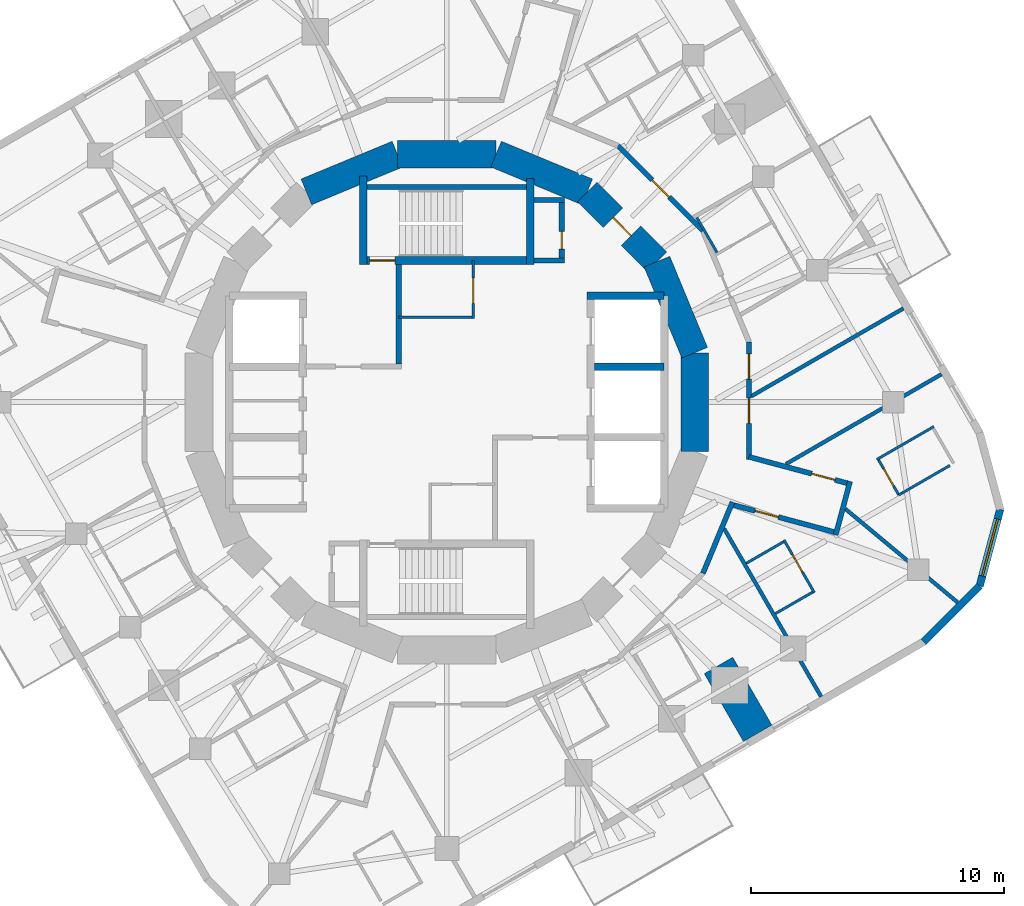
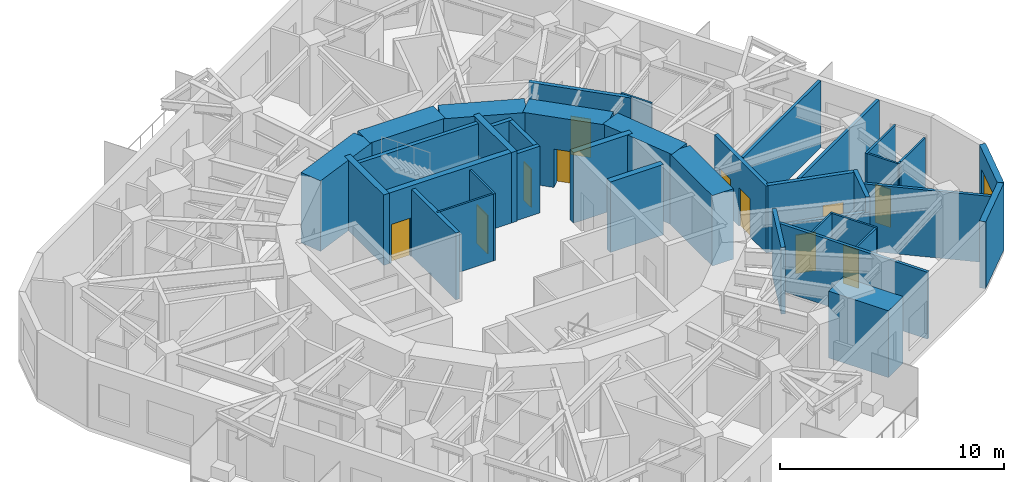
# One storey, part 7 of 11: 39 walls, 11 doors, 1 window, 12 openings.
"""IFC4 building model written with IfcOpenShell, lengths in metres."""

from ifc_helpers import new_model, si_unit, direction, frame, frame_2d, origin, place, context, subcontext, project, spatial, rectangle, extrude, material, layer, layer_set, type_object, element, fill, save


model = new_model("IFC4")

# Units and contexts
model_context = context("Model", 3, precision=1e-05, world=origin(), true_north=direction((0.0, 1.0)))
body_context = subcontext(model_context, "Body", "Model", "MODEL_VIEW")
ifc_project = project(units=[si_unit("LENGTHUNIT", "METRE"), si_unit("AREAUNIT", "SQUARE_METRE"), si_unit("VOLUMEUNIT", "CUBIC_METRE"), si_unit("PLANEANGLEUNIT", "RADIAN"), si_unit("MASSUNIT", "GRAM", prefix="KILO")], contexts=[model_context])

# Site, building, storey
site_placement = place(None, origin())
site = spatial("IfcSite", under=ifc_project, at=site_placement, CompositionType="ELEMENT")
building_placement = place(site_placement, origin())
building = spatial("IfcBuilding", under=site, at=building_placement, Name="Nakasero Lantern House", CompositionType="ELEMENT")
storey_placement = place(building_placement, frame((0.0, 0.0, 238.5)))
storey = spatial("IfcBuildingStorey", under=building, at=storey_placement, Name="L58", CompositionType="ELEMENT", Elevation=238.5)

# Walls
ifc_material_1 = material(Name="Blockwork", Category="masonry")
ifc_layer_1 = layer(ifc_material_1, 1.300048828125)
ifc_layer_set_1 = layer_set([ifc_layer_1], Name="Column pier 1300")
wall_type_1 = type_object("IfcWallType", Name="Column pier 1300", PredefinedType="PARTITIONING", material=ifc_layer_set_1)
wall_1_placement = place(storey_placement, frame((10.75048828125, -10.4208984375, 0.0), z_axis=(0.0, 0.0, 1.0), x_axis=(0.499933790963, -0.866063626216, 0.0)))
element("IfcWall", 1, at=wall_1_placement, inside=storey, type_object=wall_type_1, Name="Column pier L58 PN3-05", PredefinedType="PARTITIONING", context=body_context, shape_type="SweptSolid", body=[
    extrude(rectangle(XDim=3.10009765625, YDim=1.300048828125, at=frame_2d((1.550048828125, 0.0))), origin(), (0.0, 0.0, 1.0), 3.64990234375),
])
ifc_material_2 = material(Name="Concrete C50/60", Category="concrete")
ifc_layer_2 = layer(ifc_material_2, 0.300048828125)
ifc_layer_set_2 = layer_set([ifc_layer_2], Name="Core inner wall 300")
wall_type_2 = type_object("IfcWallType", Name="Core inner wall 300", PredefinedType="SHEAR", material=ifc_layer_set_2)
wall_2_placement = place(storey_placement, frame((5.550048828125, 4.199951171875, 0.0), z_axis=(0.0, 0.0, 1.0), x_axis=(1.0, 0.0, 0.0)))
element("IfcWall", 2, at=wall_2_placement, inside=storey, type_object=wall_type_2, Name="Core inner wall L58 LEN", PredefinedType="SHEAR", context=body_context, shape_type="SweptSolid", body=[
    extrude(rectangle(XDim=3.050048828125, YDim=0.300048828125, at=frame_2d((1.52490234375, 0.0))), origin(), (0.0, 0.0, 1.0), 3.85009765625),
])
wall_3_placement = place(storey_placement, frame((5.85009765625, 1.39990234375, 0.0), z_axis=(0.0, 0.0, 1.0), x_axis=(1.0, 0.0, 0.0)))
element("IfcWall", 3, at=wall_3_placement, inside=storey, type_object=wall_type_2, Name="Core inner wall L58 LE2", PredefinedType="SHEAR", context=body_context, shape_type="SweptSolid", body=[
    extrude(rectangle(XDim=2.75, YDim=0.300048828125, at=frame_2d((1.375, 0.0))), origin(), (0.0, 0.0, 1.0), 3.85009765625),
])

# Wall, opening, door
wall_4_placement = place(storey_placement, frame((-3.449951171875, 5.60009765625, 0.0), z_axis=(0.0, 0.0, 1.0), x_axis=(1.0, 0.0, 0.0)))
wall_4 = element("IfcWall", 4, at=wall_4_placement, inside=storey, type_object=wall_type_2, Name="Core inner wall L58 SN", PredefinedType="SHEAR", context=body_context, shape_type="SweptSolid", body=[
    extrude(rectangle(XDim=6.89990234375, YDim=0.300048828125, at=frame_2d((3.449951171875, 0.0))), origin(), (0.0, 0.0, 1.0), 3.85009765625),
])
opening_1_placement = place(wall_4_placement, frame((0.39990234375, 0.0, 0.0)))
opening_1 = element("IfcOpeningElement", 5, at=opening_1_placement, cuts=wall_4, Name="Opening D05", PredefinedType="OPENING", context=body_context, shape_type="SweptSolid", body=[
    extrude(rectangle(XDim=1.0, YDim=2.10009765625, at=frame_2d((0.5, 1.050048828125))), frame((0.0, 0.169921875, 0.0), z_axis=(0.0, -1.0, 0.0), x_axis=(1.0, 0.0, 0.0)), (0.0, 0.0, 1.0), 0.340087890625),
])
ifc_material_3 = material(Name="Timber C24", Category="wood")
door_type_1 = type_object("IfcDoorType", Name="Core door FD60S 1000", OperationType="SINGLE_SWING_LEFT", PredefinedType="DOOR", material=ifc_material_3)
door_1_placement = place(opening_1_placement, origin())
door_1 = element("IfcDoor", 6, at=door_1_placement, inside=storey, type_object=door_type_1, Name="Door L58 D-ST1", OperationType="SINGLE_SWING_LEFT", OverallHeight=2.10009765625, OverallWidth=1.0, PredefinedType="DOOR", context=body_context, shape_type="SweptSolid", body=[
    extrude(rectangle(XDim=1.0, YDim=2.10009765625, at=frame_2d((0.5, 1.050048828125))), frame((0.0, 0.02490234375, 0.0), z_axis=(0.0, -1.0, 0.0), x_axis=(1.0, 0.0, 0.0)), (0.0, 0.0, 1.0), 0.050048828125),
])
fill(opening_1, door_1)

# Walls
wall_5_placement = place(storey_placement, frame((-3.300048828125, 5.449951171875, 0.0), z_axis=(0.0, 0.0, 1.0), x_axis=(0.0, 1.0, 0.0)))
element("IfcWall", 7, at=wall_5_placement, inside=storey, type_object=wall_type_2, Name="Core inner wall L58 SNW", PredefinedType="SHEAR", context=body_context, shape_type="SweptSolid", body=[
    extrude(rectangle(XDim=3.5, YDim=0.300048828125, at=frame_2d((1.75, 0.0))), origin(), (0.0, 0.0, 1.0), 3.85009765625),
])
wall_6_placement = place(storey_placement, frame((3.300048828125, 5.449951171875, 0.0), z_axis=(0.0, 0.0, 1.0), x_axis=(0.0, 1.0, 0.0)))
element("IfcWall", 8, at=wall_6_placement, inside=storey, type_object=wall_type_2, Name="Core inner wall L58 SNE", PredefinedType="SHEAR", context=body_context, shape_type="SweptSolid", body=[
    extrude(rectangle(XDim=3.400146484375, YDim=0.300048828125, at=frame_2d((1.7001953125, 0.0))), origin(), (0.0, 0.0, 1.0), 3.85009765625),
])
ifc_material_4 = material(Name="Blockwork", Category="masonry")
ifc_layer_3 = layer(ifc_material_4, 0.10009765625)
ifc_layer_set_3 = layer_set([ifc_layer_3], Name="Core room wall 100")
wall_type_3 = type_object("IfcWallType", Name="Core room wall 100", PredefinedType="PARTITIONING", material=ifc_layer_set_3)
wall_7_placement = place(storey_placement, frame((-1.89990234375, 3.35009765625, 0.0), z_axis=(0.0, 0.0, 1.0), x_axis=(1.0, 0.0, 0.0)))
element("IfcWall", 9, at=wall_7_placement, inside=storey, type_object=wall_type_3, Name="Core room wall L58 CR-NES", PredefinedType="PARTITIONING", context=body_context, shape_type="SweptSolid", body=[
    extrude(rectangle(XDim=3.0, YDim=0.10009765625, at=frame_2d((1.5, 0.0))), origin(), (0.0, 0.0, 1.0), 3.64990234375),
])

# Wall, opening, door
wall_8_placement = place(storey_placement, frame((1.050048828125, 3.300048828125, 0.0), z_axis=(0.0, 0.0, 1.0), x_axis=(0.0, 1.0, 0.0)))
wall_8 = element("IfcWall", 10, at=wall_8_placement, inside=storey, type_object=wall_type_3, Name="Core room wall L58 CR-NEE", PredefinedType="PARTITIONING", context=body_context, shape_type="SweptSolid", body=[
    extrude(rectangle(XDim=2.300048828125, YDim=0.10009765625, at=frame_2d((1.14990234375, 0.0))), origin(), (0.0, 0.0, 1.0), 3.64990234375),
])
opening_2_placement = place(wall_8_placement, frame((0.60009765625, 0.0, 0.0)))
opening_2 = element("IfcOpeningElement", 11, at=opening_2_placement, cuts=wall_8, Name="Opening D13", PredefinedType="OPENING", context=body_context, shape_type="SweptSolid", body=[
    extrude(rectangle(XDim=1.0, YDim=2.10009765625, at=frame_2d((0.5, 1.050048828125))), frame((0.0, 0.070068359375, 0.0), z_axis=(0.0, -1.0, 0.0), x_axis=(1.0, 0.0, 0.0)), (0.0, 0.0, 1.0), 0.14013671875),
])
ifc_material_5 = material(Name="Steel S355", Category="steel")
door_type_2 = type_object("IfcDoorType", Name="Plant room door FD60 1000", OperationType="SINGLE_SWING_LEFT", PredefinedType="DOOR", material=ifc_material_5)
door_2_placement = place(opening_2_placement, origin())
door_2 = element("IfcDoor", 12, at=door_2_placement, inside=storey, type_object=door_type_2, Name="Door L58 D-CR-NE", OperationType="SINGLE_SWING_LEFT", OverallHeight=2.10009765625, OverallWidth=1.0, PredefinedType="DOOR", context=body_context, shape_type="SweptSolid", body=[
    extrude(rectangle(XDim=1.0, YDim=2.10009765625, at=frame_2d((0.5, 1.050048828125))), frame((0.0, 0.02490234375, 0.0), z_axis=(0.0, -1.0, 0.0), x_axis=(1.0, 0.0, 0.0)), (0.0, 0.0, 1.0), 0.050048828125),
])
fill(opening_2, door_2)

# Wall
ifc_material_6 = material(Name="Concrete C50/60", Category="concrete")
ifc_layer_4 = layer(ifc_material_6, 1.10009765625)
ifc_layer_set_4 = layer_set([ifc_layer_4], Name="Core wall 1100")
wall_type_4 = type_object("IfcWallType", Name="Core wall 1100", PredefinedType="SHEAR", material=ifc_layer_set_4)
wall_9_placement = place(storey_placement, frame((9.807861328125, 1.950927734375, 0.0), z_axis=(0.0, 0.0, 1.0), x_axis=(-0.382690736062, 0.923876507187, 0.0)))
element("IfcWall", 13, at=wall_9_placement, inside=storey, type_object=wall_type_4, Name="Core wall L58 facet 1", PredefinedType="SHEAR", context=body_context, shape_type="SweptSolid", body=[
    extrude(rectangle(XDim=3.90185546875, YDim=1.10009765625, at=frame_2d((1.950927734375, 0.0))), origin(), (0.0, 0.0, 1.0), 3.85009765625),
])

# Wall, opening, door
wall_10_placement = place(storey_placement, frame((8.314697265625, 5.5556640625, 0.0), z_axis=(0.0, 0.0, 1.0), x_axis=(-0.707106781187, 0.707106781187, 0.0)))
wall_10 = element("IfcWall", 14, at=wall_10_placement, inside=storey, type_object=wall_type_4, Name="Core wall L58 facet 2", PredefinedType="SHEAR", context=body_context, shape_type="SweptSolid", body=[
    extrude(rectangle(XDim=3.90185546875, YDim=1.10009765625, at=frame_2d((1.950927734375, 0.0))), origin(), (0.0, 0.0, 1.0), 3.85009765625),
])
opening_3_placement = place(wall_10_placement, frame((1.450927734375, 0.0, 0.0)))
opening_3 = element("IfcOpeningElement", 15, at=opening_3_placement, cuts=wall_10, Name="Opening D05", PredefinedType="OPENING", context=body_context, shape_type="SweptSolid", body=[
    extrude(rectangle(XDim=1.0, YDim=2.10009765625, at=frame_2d((0.5, 1.050048828125))), frame((0.0, 0.570068359375, 0.0), z_axis=(0.0, -1.0, 0.0), x_axis=(1.0, 0.0, 0.0)), (0.0, 0.0, 1.0), 1.14013671875),
])
door_3_placement = place(opening_3_placement, origin())
door_3 = element("IfcDoor", 16, at=door_3_placement, inside=storey, type_object=door_type_1, Name="Door L58 D-CORE02", OperationType="SINGLE_SWING_LEFT", OverallHeight=2.10009765625, OverallWidth=1.0, PredefinedType="DOOR", context=body_context, shape_type="SweptSolid", body=[
    extrude(rectangle(XDim=1.0, YDim=2.10009765625, at=frame_2d((0.5, 1.050048828125))), frame((0.0, 0.02490234375, 0.0), z_axis=(0.0, -1.0, 0.0), x_axis=(1.0, 0.0, 0.0)), (0.0, 0.0, 1.0), 0.050048828125),
])
fill(opening_3, door_3)

# Walls
for number, where, z_axis, x_axis, name in (
    (17, (5.5556640625, 8.314697265625, 0.0), (0.0, 0.0, 1.0), (-0.923876507187, 0.382690736062, 0.0), "Core wall L58 facet 3"),
    (18, (1.950927734375, 9.807861328125, 0.0), (0.0, 0.0, 1.0), (-1.0, 0.0, 0.0), "Core wall L58 facet 4"),
    (19, (-1.950927734375, 9.807861328125, 0.0), (0.0, 0.0, 1.0), (-0.923876507187, -0.382690736062, 0.0), "Core wall L58 facet 5"),
    (20, (9.807861328125, -1.950927734375, 0.0), (0.0, 0.0, 1.0), (0.0, 1.0, 0.0), "Core wall L58 facet 16"),
):
    element("IfcWall", number, at=place(storey_placement, frame(where, z_axis=z_axis, x_axis=x_axis)), inside=storey, type_object=wall_type_4, Name=name, PredefinedType="SHEAR", context=body_context, shape_type="SweptSolid", body=[
        extrude(rectangle(XDim=3.90185546875, YDim=1.10009765625, at=frame_2d((1.950927734375, 0.0))), origin(), (0.0, 0.0, 1.0), 3.85009765625),
    ])

# Wall, openings, doors
ifc_material_7 = material(Name="Blockwork", Category="masonry")
ifc_layer_5 = layer(ifc_material_7, 0.199951171875)
ifc_layer_set_5 = layer_set([ifc_layer_5], Name="Corridor wall 200")
wall_type_5 = type_object("IfcWallType", Name="Corridor wall 200", PredefinedType="PARTITIONING", material=ifc_layer_set_5)
wall_11_placement = place(storey_placement, frame((11.957763671875, 2.378662109375, 0.0), z_axis=(0.0, 0.0, 1.0), x_axis=(0.0, -1.0, 0.0)))
wall_11 = element("IfcWall", 21, at=wall_11_placement, inside=storey, type_object=wall_type_5, Name="Corridor wall L58 RC00a", PredefinedType="PARTITIONING", context=body_context, shape_type="SweptSolid", body=[
    extrude(rectangle(XDim=4.651123046875, YDim=0.199951171875, at=frame_2d((2.32568359375, 0.0))), origin(), (0.0, 0.0, 1.0), 3.64990234375),
])
opening_4_placement = place(wall_11_placement, frame((2.219970703125, 0.0, 0.0)))
opening_4 = element("IfcOpeningElement", 22, at=opening_4_placement, cuts=wall_11, Name="Opening D03", PredefinedType="OPENING", context=body_context, shape_type="SweptSolid", body=[
    extrude(rectangle(XDim=1.0, YDim=2.10009765625, at=frame_2d((0.5, 1.050048828125))), frame((0.0, 0.119873046875, 0.0), z_axis=(0.0, -1.0, 0.0), x_axis=(1.0, 0.0, 0.0)), (0.0, 0.0, 1.0), 0.239990234375),
])
opening_5_placement = place(wall_11_placement, frame((0.469970703125, 0.0, 0.0)))
opening_5 = element("IfcOpeningElement", 23, at=opening_5_placement, cuts=wall_11, Name="Opening D03", PredefinedType="OPENING", context=body_context, shape_type="SweptSolid", body=[
    extrude(rectangle(XDim=1.0, YDim=2.10009765625, at=frame_2d((0.5, 1.050048828125))), frame((0.0, 0.119873046875, 0.0), z_axis=(0.0, -1.0, 0.0), x_axis=(1.0, 0.0, 0.0)), (0.0, 0.0, 1.0), 0.239990234375),
])
ifc_material_8 = material(Name="Timber C24", Category="wood")
door_type_3 = type_object("IfcDoorType", Name="Lounge door FD30S 1000", OperationType="SINGLE_SWING_LEFT", PredefinedType="DOOR", material=ifc_material_8)
door_4_placement = place(opening_4_placement, origin())
door_4 = element("IfcDoor", 24, at=door_4_placement, inside=storey, type_object=door_type_3, Name="Door L58 DK0", OperationType="SINGLE_SWING_RIGHT", OverallHeight=2.10009765625, OverallWidth=1.0, PredefinedType="DOOR", context=body_context, shape_type="SweptSolid", body=[
    extrude(rectangle(XDim=1.0, YDim=2.10009765625, at=frame_2d((0.5, 1.050048828125))), frame((0.0, 0.02490234375, 0.0), z_axis=(0.0, -1.0, 0.0), x_axis=(1.0, 0.0, 0.0)), (0.0, 0.0, 1.0), 0.050048828125),
])
fill(opening_4, door_4)
door_5_placement = place(opening_5_placement, origin())
door_5 = element("IfcDoor", 25, at=door_5_placement, inside=storey, type_object=door_type_3, Name="Door L58 DK0-1", OperationType="SINGLE_SWING_LEFT", OverallHeight=2.10009765625, OverallWidth=1.0, PredefinedType="DOOR", context=body_context, shape_type="SweptSolid", body=[
    extrude(rectangle(XDim=1.0, YDim=2.10009765625, at=frame_2d((0.5, 1.050048828125))), frame((0.0, 0.02490234375, 0.0), z_axis=(0.0, -1.0, 0.0), x_axis=(1.0, 0.0, 0.0)), (0.0, 0.0, 1.0), 0.050048828125),
])
fill(opening_5, door_5)

# Wall
wall_12_placement = place(storey_placement, frame((11.302734375, -3.960205078125, 0.0), z_axis=(0.0, 0.0, 1.0), x_axis=(-0.382656259044, -0.923890787601, 0.0)))
element("IfcWall", 26, at=wall_12_placement, inside=storey, type_object=wall_type_5, Name="Corridor wall L58 RC01a", PredefinedType="PARTITIONING", context=body_context, shape_type="SweptSolid", body=[
    extrude(rectangle(XDim=3.045166015625, YDim=0.199951171875, at=frame_2d((1.5224609375, 0.0))), origin(), (0.0, 0.0, 1.0), 3.64990234375),
])

# Wall, opening, door
wall_13_placement = place(storey_placement, frame((6.773681640625, 10.137451171875, 0.0), z_axis=(0.0, 0.0, 1.0), x_axis=(0.707106781187, -0.707106781187, 0.0)))
wall_13 = element("IfcWall", 27, at=wall_13_placement, inside=storey, type_object=wall_type_5, Name="Corridor wall L58 RC14a", PredefinedType="PARTITIONING", context=body_context, shape_type="SweptSolid", body=[
    extrude(rectangle(XDim=4.757080078125, YDim=0.199951171875, at=frame_2d((2.37841796875, 0.0))), origin(), (0.0, 0.0, 1.0), 3.64990234375),
])
opening_6_placement = place(wall_13_placement, frame((1.919921875, 0.0, 0.0)))
opening_6 = element("IfcOpeningElement", 28, at=opening_6_placement, cuts=wall_13, Name="Opening D01", PredefinedType="OPENING", context=body_context, shape_type="SweptSolid", body=[
    extrude(rectangle(XDim=0.949951171875, YDim=2.10009765625, at=frame_2d((0.47509765625, 1.050048828125))), frame((0.0, 0.119873046875, 0.0), z_axis=(0.0, -1.0, 0.0), x_axis=(1.0, 0.0, 0.0)), (0.0, 0.0, 1.0), 0.239990234375),
])
ifc_material_9 = material(Name="Timber C24", Category="wood")
door_type_4 = type_object("IfcDoorType", Name="Bedroom door FD30S 950", OperationType="SINGLE_SWING_LEFT", PredefinedType="DOOR", material=ifc_material_9)
door_6_placement = place(opening_6_placement, origin())
door_6 = element("IfcDoor", 29, at=door_6_placement, inside=storey, type_object=door_type_4, Name="Door L58 D0-04", OperationType="SINGLE_SWING_RIGHT", OverallHeight=2.10009765625, OverallWidth=0.949951171875, PredefinedType="DOOR", context=body_context, shape_type="SweptSolid", body=[
    extrude(rectangle(XDim=0.949951171875, YDim=2.10009765625, at=frame_2d((0.47509765625, 1.050048828125))), frame((0.0, 0.02490234375, 0.0), z_axis=(0.0, -1.0, 0.0), x_axis=(1.0, 0.0, 0.0)), (0.0, 0.0, 1.0), 0.050048828125),
])
fill(opening_6, door_6)

wall_14_placement = place(storey_placement, frame((11.26416015625, -4.053466796875, 0.0), z_axis=(0.0, 0.0, 1.0), x_axis=(0.965919779438, -0.258841611204, 0.0)))
wall_14 = element("IfcWall", 30, at=wall_14_placement, inside=storey, type_object=wall_type_5, Name="Corridor wall L58 SP3a", PredefinedType="PARTITIONING", context=body_context, shape_type="SweptSolid", body=[
    extrude(rectangle(XDim=4.394287109375, YDim=0.199951171875, at=frame_2d((2.197265625, 0.0))), origin(), (0.0, 0.0, 1.0), 2.809326171875),
])
opening_7_placement = place(wall_14_placement, frame((0.969970703125, 0.0, 0.0)))
opening_7 = element("IfcOpeningElement", 31, at=opening_7_placement, cuts=wall_14, Name="Opening D01", PredefinedType="OPENING", context=body_context, shape_type="SweptSolid", body=[
    extrude(rectangle(XDim=0.949951171875, YDim=2.10009765625, at=frame_2d((0.47509765625, 1.050048828125))), frame((0.0, 0.119873046875, 0.0), z_axis=(0.0, -1.0, 0.0), x_axis=(1.0, 0.0, 0.0)), (0.0, 0.0, 1.0), 0.239990234375),
])
door_7_placement = place(opening_7_placement, origin())
door_7 = element("IfcDoor", 32, at=door_7_placement, inside=storey, type_object=door_type_4, Name="Door L58 D3-06", OperationType="SINGLE_SWING_LEFT", OverallHeight=2.10009765625, OverallWidth=0.949951171875, PredefinedType="DOOR", context=body_context, shape_type="SweptSolid", body=[
    extrude(rectangle(XDim=0.949951171875, YDim=2.10009765625, at=frame_2d((0.47509765625, 1.050048828125))), frame((0.0, 0.02490234375, 0.0), z_axis=(0.0, -1.0, 0.0), x_axis=(1.0, 0.0, 0.0)), (0.0, 0.0, 1.0), 0.050048828125),
])
fill(opening_7, door_7)

wall_15_placement = place(storey_placement, frame((11.957763671875, -2.168701171875, 0.0), z_axis=(0.0, 0.0, 1.0), x_axis=(0.965916744568, -0.258852936168, 0.0)))
wall_15 = element("IfcWall", 33, at=wall_15_placement, inside=storey, type_object=wall_type_5, Name="Corridor wall L58 SP3b", PredefinedType="PARTITIONING", context=body_context, shape_type="SweptSolid", body=[
    extrude(rectangle(XDim=4.212158203125, YDim=0.199951171875, at=frame_2d((2.10595703125, 0.0))), origin(), (0.0, 0.0, 1.0), 3.64990234375),
])
opening_8_placement = place(wall_15_placement, frame((2.570068359375, 0.0, 0.0)))
opening_8 = element("IfcOpeningElement", 34, at=opening_8_placement, cuts=wall_15, Name="Opening D01", PredefinedType="OPENING", context=body_context, shape_type="SweptSolid", body=[
    extrude(rectangle(XDim=0.949951171875, YDim=2.10009765625, at=frame_2d((0.47509765625, 1.050048828125))), frame((0.0, 0.119873046875, 0.0), z_axis=(0.0, -1.0, 0.0), x_axis=(1.0, 0.0, 0.0)), (0.0, 0.0, 1.0), 0.239990234375),
])
door_8_placement = place(opening_8_placement, origin())
door_8 = element("IfcDoor", 35, at=door_8_placement, inside=storey, type_object=door_type_4, Name="Door L58 D0-00", OperationType="SINGLE_SWING_RIGHT", OverallHeight=2.10009765625, OverallWidth=0.949951171875, PredefinedType="DOOR", context=body_context, shape_type="SweptSolid", body=[
    extrude(rectangle(XDim=0.949951171875, YDim=2.10009765625, at=frame_2d((0.47509765625, 1.050048828125))), frame((0.0, 0.02490234375, 0.0), z_axis=(0.0, -1.0, 0.0), x_axis=(1.0, 0.0, 0.0)), (0.0, 0.0, 1.0), 0.050048828125),
])
fill(opening_8, door_8)

# Walls
wall_16_placement = place(storey_placement, frame((15.38623046875, -5.261474609375, 0.0), z_axis=(0.0, 0.0, 1.0), x_axis=(0.258898792763, 0.965904454439, 0.0)))
element("IfcWall", 36, at=wall_16_placement, inside=storey, type_object=wall_type_5, Name="Corridor wall L58 SP3e", PredefinedType="PARTITIONING", context=body_context, shape_type="SweptSolid", body=[
    extrude(rectangle(XDim=2.199951171875, YDim=0.199951171875, at=frame_2d((1.10009765625, 0.0))), origin(), (0.0, 0.0, 1.0), 3.64990234375),
])
ifc_material_10 = material(Name="Blockwork", Category="masonry")
ifc_layer_6 = layer(ifc_material_10, 0.10009765625)
ifc_layer_set_6 = layer_set([ifc_layer_6], Name="En-suite wall 100")
wall_type_6 = type_object("IfcWallType", Name="En-suite wall 100", PredefinedType="PARTITIONING", material=ifc_layer_set_6)
wall_17_placement = place(storey_placement, frame((17.015380859375, -2.271728515625, 0.0), z_axis=(0.0, 0.0, 1.0), x_axis=(0.866021400173, 0.500006934395, 0.0)))
element("IfcWall", 37, at=wall_17_placement, inside=storey, type_object=wall_type_6, Name="En-suite wall L58 ES0-00", PredefinedType="PARTITIONING", context=body_context, shape_type="SweptSolid", body=[
    extrude(rectangle(XDim=2.60009765625, YDim=0.10009765625, at=frame_2d((1.300048828125, 0.0))), origin(), (0.0, 0.0, 1.0), 3.64990234375),
])

# Wall, opening, door
wall_18_placement = place(storey_placement, frame((17.8837890625, -3.675537109375, 0.0), z_axis=(0.0, 0.0, 1.0), x_axis=(-0.500061482766, 0.865989903783, 0.0)))
wall_18 = element("IfcWall", 38, at=wall_18_placement, inside=storey, type_object=wall_type_6, Name="En-suite wall L58 EI0-00", PredefinedType="PARTITIONING", context=body_context, shape_type="SweptSolid", body=[
    extrude(rectangle(XDim=1.599853515625, YDim=0.10009765625, at=frame_2d((0.7998046875, 0.0))), origin(), (0.0, 0.0, 1.0), 3.64990234375),
])
opening_9_placement = place(wall_18_placement, frame((0.39990234375, 0.0, 0.0)))
opening_9 = element("IfcOpeningElement", 39, at=opening_9_placement, cuts=wall_18, Name="Opening D02", PredefinedType="OPENING", context=body_context, shape_type="SweptSolid", body=[
    extrude(rectangle(XDim=0.800048828125, YDim=2.10009765625, at=frame_2d((0.39990234375, 1.050048828125))), frame((0.0, 0.070068359375, 0.0), z_axis=(0.0, -1.0, 0.0), x_axis=(1.0, 0.0, 0.0)), (0.0, 0.0, 1.0), 0.14013671875),
])
ifc_material_11 = material(Name="Timber C24", Category="wood")
door_type_5 = type_object("IfcDoorType", Name="En-suite door 800", OperationType="SINGLE_SWING_RIGHT", PredefinedType="DOOR", material=ifc_material_11)
door_9_placement = place(opening_9_placement, origin())
door_9 = element("IfcDoor", 40, at=door_9_placement, inside=storey, type_object=door_type_5, Name="Door L58 DE0-00", OperationType="SINGLE_SWING_LEFT", OverallHeight=2.10009765625, OverallWidth=0.800048828125, PredefinedType="DOOR", context=body_context, shape_type="SweptSolid", body=[
    extrude(rectangle(XDim=0.800048828125, YDim=2.10009765625, at=frame_2d((0.39990234375, 1.050048828125))), frame((0.0, 0.02490234375, 0.0), z_axis=(0.0, -1.0, 0.0), x_axis=(1.0, 0.0, 0.0)), (0.0, 0.0, 1.0), 0.050048828125),
])
fill(opening_9, door_9)

# Wall
wall_19_placement = place(storey_placement, frame((10.69287109375, 5.914794921875, 0.0), z_axis=(0.0, 0.0, 1.0), x_axis=(-0.499880961361, 0.866094119867, 0.0)))
element("IfcWall", 41, at=wall_19_placement, inside=storey, type_object=wall_type_6, Name="En-suite wall L58 EI0-03", PredefinedType="PARTITIONING", context=body_context, shape_type="SweptSolid", body=[
    extrude(rectangle(XDim=1.60009765625, YDim=0.10009765625, at=frame_2d((0.800048828125, 0.0))), origin(), (0.0, 0.0, 1.0), 3.64990234375),
])

# Wall, opening, door
wall_20_placement = place(storey_placement, frame((13.342041015625, -5.46044921875, 0.0), z_axis=(0.0, 0.0, 1.0), x_axis=(0.500033551112, -0.866006032174, 0.0)))
wall_20 = element("IfcWall", 42, at=wall_20_placement, inside=storey, type_object=wall_type_6, Name="En-suite wall L58 ES3-06", PredefinedType="PARTITIONING", context=body_context, shape_type="SweptSolid", body=[
    extrude(rectangle(XDim=2.400146484375, YDim=0.10009765625, at=frame_2d((1.2001953125, 0.0))), origin(), (0.0, 0.0, 1.0), 3.64990234375),
])
opening_10_placement = place(wall_20_placement, frame((0.64990234375, 0.0, 0.0)))
opening_10 = element("IfcOpeningElement", 43, at=opening_10_placement, cuts=wall_20, Name="Opening D02", PredefinedType="OPENING", context=body_context, shape_type="SweptSolid", body=[
    extrude(rectangle(XDim=0.800048828125, YDim=2.10009765625, at=frame_2d((0.39990234375, 1.050048828125))), frame((0.0, 0.070068359375, 0.0), z_axis=(0.0, -1.0, 0.0), x_axis=(1.0, 0.0, 0.0)), (0.0, 0.0, 1.0), 0.14013671875),
])
door_10_placement = place(opening_10_placement, origin())
door_10 = element("IfcDoor", 44, at=door_10_placement, inside=storey, type_object=door_type_5, Name="Door L58 DE3-06", OperationType="SINGLE_SWING_LEFT", OverallHeight=2.10009765625, OverallWidth=0.800048828125, PredefinedType="DOOR", context=body_context, shape_type="SweptSolid", body=[
    extrude(rectangle(XDim=0.800048828125, YDim=2.10009765625, at=frame_2d((0.39990234375, 1.050048828125))), frame((0.0, 0.02490234375, 0.0), z_axis=(0.0, -1.0, 0.0), x_axis=(1.0, 0.0, 0.0)), (0.0, 0.0, 1.0), 0.050048828125),
])
fill(opening_10, door_10)

# Walls
for number, where, z_axis, x_axis, name in (
    (45, (13.001708984375, -8.37060546875, 0.0), (0.0, 0.0, 1.0), (0.86605165483, 0.499954529098, 0.0), "En-suite wall L58 EE3-06"),
    (46, (11.8515625, -6.37890625, 0.0), (0.0, 0.0, 1.0), (0.865989465428, 0.500062241894, 0.0), "En-suite wall L58 EI3-06"),
):
    element("IfcWall", number, at=place(storey_placement, frame(where, z_axis=z_axis, x_axis=x_axis)), inside=storey, type_object=wall_type_6, Name=name, PredefinedType="PARTITIONING", context=body_context, shape_type="SweptSolid", body=[
        extrude(rectangle(XDim=1.699951171875, YDim=0.10009765625, at=frame_2d((0.85009765625, 0.0))), origin(), (0.0, 0.0, 1.0), 3.64990234375),
    ])
wall_21_placement = place(storey_placement, frame((18.022216796875, -3.595458984375, 0.0), z_axis=(0.0, 0.0, 1.0), x_axis=(0.866056906104, 0.499945432413, 0.0)))
element("IfcWall", 47, at=wall_21_placement, inside=storey, type_object=wall_type_6, Name="En-suite wall L58 EX000", PredefinedType="PARTITIONING", context=body_context, shape_type="SweptSolid", body=[
    extrude(rectangle(XDim=2.179931640625, YDim=0.10009765625, at=frame_2d((1.08984375, 0.0))), origin(), (0.0, 0.0, 1.0), 3.64990234375),
])
wall_22_placement = place(storey_placement, frame((17.8837890625, -3.675537109375, 0.0), z_axis=(0.0, 0.0, 1.0), x_axis=(0.865600433939, 0.500735348028, 0.0)))
element("IfcWall", 48, at=wall_22_placement, inside=storey, type_object=wall_type_6, Name="En-suite wall L58 EI0-00R0", PredefinedType="PARTITIONING", context=body_context, shape_type="SweptSolid", body=[
    extrude(rectangle(XDim=0.159912109375, YDim=0.10009765625, at=frame_2d((0.080078125, 0.0))), origin(), (0.0, 0.0, 1.0), 3.64990234375),
])
ifc_material_12 = material(Name="Aluminium rainscreen on blockwork", Category="masonry")
ifc_layer_7 = layer(ifc_material_12, 0.300048828125)
ifc_layer_set_7 = layer_set([ifc_layer_7], Name="Facade wall 300")
wall_type_7 = type_object("IfcWallType", Name="Facade wall 300", PredefinedType="SOLIDWALL", material=ifc_layer_set_7)
wall_23_placement = place(storey_placement, frame((18.870849609375, -9.4853515625, 0.0), z_axis=(0.0, 0.0, 1.0), x_axis=(0.707145758492, 0.707067801733, 0.0)))
element("IfcWall", 49, at=wall_23_placement, inside=storey, type_object=wall_type_7, Name="Facade wall L58 FW3C1", PredefinedType="SOLIDWALL", context=body_context, shape_type="SweptSolid", body=[
    extrude(rectangle(XDim=3.1318359375, YDim=0.300048828125, at=frame_2d((1.56591796875, 0.0))), origin(), (0.0, 0.0, 1.0), 3.64990234375),
])

# Wall, opening, window
wall_24_placement = place(storey_placement, frame((21.08544921875, -7.27099609375, 0.0), z_axis=(0.0, 0.0, 1.0), x_axis=(0.258807521156, 0.965928914048, 0.0)))
wall_24 = element("IfcWall", 50, at=wall_24_placement, inside=storey, type_object=wall_type_7, Name="Facade wall L58 FW3C2", PredefinedType="SOLIDWALL", context=body_context, shape_type="SweptSolid", body=[
    extrude(rectangle(XDim=3.1318359375, YDim=0.300048828125, at=frame_2d((1.56591796875, 0.0))), origin(), (0.0, 0.0, 1.0), 3.64990234375),
])
opening_11_placement = place(wall_24_placement, frame((0.39990234375, 0.0, 0.75)))
opening_11 = element("IfcOpeningElement", 51, at=opening_11_placement, cuts=wall_24, Name="Opening W223", PredefinedType="OPENING", context=body_context, shape_type="SweptSolid", body=[
    extrude(rectangle(XDim=2.33203125, YDim=1.800048828125, at=frame_2d((1.166015625, 0.89990234375))), frame((0.0, 0.169921875, 0.0), z_axis=(0.0, -1.0, 0.0), x_axis=(1.0, 0.0, 0.0)), (0.0, 0.0, 1.0), 0.340087890625),
])
ifc_material_13 = material(Name="Aluminium 6063-T6 and glass", Category="aluminium")
window_type = type_object("IfcWindowType", Name="Corner window 2332x1800", PartitioningType="SINGLE_PANEL", PredefinedType="WINDOW", material=ifc_material_13)
window_placement = place(opening_11_placement, origin())
window = element("IfcWindow", 52, at=window_placement, inside=storey, type_object=window_type, Name="Window L58 WC3", OverallHeight=1.800048828125, OverallWidth=2.33203125, PartitioningType="SINGLE_PANEL", PredefinedType="WINDOW", context=body_context, shape_type="SweptSolid", body=[
    extrude(rectangle(XDim=2.33203125, YDim=1.800048828125, at=frame_2d((1.166015625, 0.89990234375))), frame((0.0, 0.030029296875, 0.0), z_axis=(0.0, -1.0, 0.0), x_axis=(1.0, 0.0, 0.0)), (0.0, 0.0, 1.0), 0.06005859375),
])
fill(opening_11, window)

# Wall
ifc_material_14 = material(Name="Blockwork", Category="masonry")
ifc_layer_8 = layer(ifc_material_14, 0.199951171875)
ifc_layer_set_8 = layer_set([ifc_layer_8], Name="Fire lobby wall 200")
wall_type_8 = type_object("IfcWallType", Name="Fire lobby wall 200", PredefinedType="PARTITIONING", material=ifc_layer_set_8)
wall_25_placement = place(storey_placement, frame((-1.89990234375, 1.5, 0.0), z_axis=(0.0, 0.0, 1.0), x_axis=(0.0, 1.0, 0.0)))
element("IfcWall", 53, at=wall_25_placement, inside=storey, type_object=wall_type_8, Name="Fire lobby wall L58 W-FL1E", PredefinedType="PARTITIONING", context=body_context, shape_type="SweptSolid", body=[
    extrude(rectangle(XDim=3.949951171875, YDim=0.199951171875, at=frame_2d((1.97509765625, 0.0))), origin(), (0.0, 0.0, 1.0), 3.64990234375),
])

# Wall, opening, door
wall_26_placement = place(storey_placement, frame((4.550048828125, 5.60009765625, 0.0), z_axis=(0.0, 0.0, 1.0), x_axis=(0.0, 1.0, 0.0)))
wall_26 = element("IfcWall", 54, at=wall_26_placement, inside=storey, type_object=wall_type_8, Name="Fire lobby wall L58 W-RS1E", PredefinedType="PARTITIONING", context=body_context, shape_type="SweptSolid", body=[
    extrude(rectangle(XDim=2.39990234375, YDim=0.199951171875, at=frame_2d((1.199951171875, 0.0))), origin(), (0.0, 0.0, 1.0), 3.64990234375),
])
opening_12_placement = place(wall_26_placement, frame((0.449951171875, 0.0, 0.0)))
opening_12 = element("IfcOpeningElement", 55, at=opening_12_placement, cuts=wall_26, Name="Opening D06", PredefinedType="OPENING", context=body_context, shape_type="SweptSolid", body=[
    extrude(rectangle(XDim=0.699951171875, YDim=2.10009765625, at=frame_2d((0.35009765625, 1.050048828125))), frame((0.0, 0.119873046875, 0.0), z_axis=(0.0, -1.0, 0.0), x_axis=(1.0, 0.0, 0.0)), (0.0, 0.0, 1.0), 0.239990234375),
])
ifc_material_15 = material(Name="Steel S355", Category="steel")
door_type_6 = type_object("IfcDoorType", Name="Riser door FD60 700", OperationType="SINGLE_SWING_LEFT", PredefinedType="DOOR", material=ifc_material_15)
door_11_placement = place(opening_12_placement, origin())
door_11 = element("IfcDoor", 56, at=door_11_placement, inside=storey, type_object=door_type_6, Name="Door L58 D-RS1", OperationType="SINGLE_SWING_LEFT", OverallHeight=2.10009765625, OverallWidth=0.699951171875, PredefinedType="DOOR", context=body_context, shape_type="SweptSolid", body=[
    extrude(rectangle(XDim=0.699951171875, YDim=2.10009765625, at=frame_2d((0.35009765625, 1.050048828125))), frame((0.0, 0.02490234375, 0.0), z_axis=(0.0, -1.0, 0.0), x_axis=(1.0, 0.0, 0.0)), (0.0, 0.0, 1.0), 0.050048828125),
])
fill(opening_12, door_11)

# Walls
for number, where, z_axis, x_axis, name in (
    (57, (3.449951171875, 8.0, 0.0), (0.0, 0.0, 1.0), (1.0, 0.0, 0.0), "Fire lobby wall L58 W-RS1N"),
    (58, (3.449951171875, 5.60009765625, 0.0), (0.0, 0.0, 1.0), (1.0, 0.0, 0.0), "Fire lobby wall L58 W-RS1S"),
):
    element("IfcWall", number, at=place(storey_placement, frame(where, z_axis=z_axis, x_axis=x_axis)), inside=storey, type_object=wall_type_8, Name=name, PredefinedType="PARTITIONING", context=body_context, shape_type="SweptSolid", body=[
        extrude(rectangle(XDim=1.199951171875, YDim=0.199951171875, at=frame_2d((0.60009765625, 0.0))), origin(), (0.0, 0.0, 1.0), 3.64990234375),
    ])
wall_27_placement = place(storey_placement, frame((-3.300048828125, 8.5, 0.0), z_axis=(0.0, 0.0, 1.0), x_axis=(1.0, 0.0, 0.0)))
element("IfcWall", 59, at=wall_27_placement, inside=storey, type_object=wall_type_8, Name="Fire lobby wall L58 W-STN", PredefinedType="PARTITIONING", context=body_context, shape_type="SweptSolid", body=[
    extrude(rectangle(XDim=6.60009765625, YDim=0.199951171875, at=frame_2d((3.300048828125, 0.0))), origin(), (0.0, 0.0, 1.0), 3.64990234375),
])
ifc_material_16 = material(Name="Blockwork", Category="masonry")
ifc_layer_9 = layer(ifc_material_16, 0.14990234375)
ifc_layer_set_9 = layer_set([ifc_layer_9], Name="Party wall 150")
wall_type_9 = type_object("IfcWallType", Name="Party wall 150", PredefinedType="PARTITIONING", material=ifc_layer_set_9)
wall_28_placement = place(storey_placement, frame((13.4140625, -2.45556640625, 0.0), z_axis=(0.0, 0.0, 1.0), x_axis=(0.866011773653, 0.500023607337, 0.0)))
element("IfcWall", 60, at=wall_28_placement, inside=storey, type_object=wall_type_9, Name="Party wall L58 PW0-01", PredefinedType="PARTITIONING", context=body_context, shape_type="SweptSolid", body=[
    extrude(rectangle(XDim=7.111083984375, YDim=0.14990234375, at=frame_2d((3.5556640625, 0.0))), origin(), (0.0, 0.0, 1.0), 3.64990234375),
])
wall_29_placement = place(storey_placement, frame((12.057861328125, 0.236083984375, 0.0), z_axis=(0.0, 0.0, 1.0), x_axis=(0.866026229868, 0.499998569178, 0.0)))
element("IfcWall", 61, at=wall_29_placement, inside=storey, type_object=wall_type_9, Name="Party wall L58 PW0-02", PredefinedType="PARTITIONING", context=body_context, shape_type="SweptSolid", body=[
    extrude(rectangle(XDim=6.939453125, YDim=0.14990234375, at=frame_2d((3.4697265625, 0.0))), origin(), (0.0, 0.0, 1.0), 3.64990234375),
])
wall_30_placement = place(storey_placement, frame((10.9755859375, -5.011474609375, 0.0), z_axis=(0.0, 0.0, 1.0), x_axis=(0.499985976588, -0.866033500054, 0.0)))
element("IfcWall", 62, at=wall_30_placement, inside=storey, type_object=wall_type_9, Name="Party wall L58 PW3-06", PredefinedType="PARTITIONING", context=body_context, shape_type="SweptSolid", body=[
    extrude(rectangle(XDim=7.672119140625, YDim=0.14990234375, at=frame_2d((3.8359375, 0.0))), origin(), (0.0, 0.0, 1.0), 3.64990234375),
])
wall_31_placement = place(storey_placement, frame((15.767578125, -4.224853515625, 0.0), z_axis=(0.0, 0.0, 1.0), x_axis=(0.768380441131, -0.639993357533, 0.0)))
element("IfcWall", 63, at=wall_31_placement, inside=storey, type_object=wall_type_9, Name="Party wall L58 PW0-00", PredefinedType="PARTITIONING", context=body_context, shape_type="SweptSolid", body=[
    extrude(rectangle(XDim=5.78271484375, YDim=0.14990234375, at=frame_2d((2.891357421875, 0.0))), origin(), (0.0, 0.0, 1.0), 3.64990234375),
])

save(model, "model.ifc")
